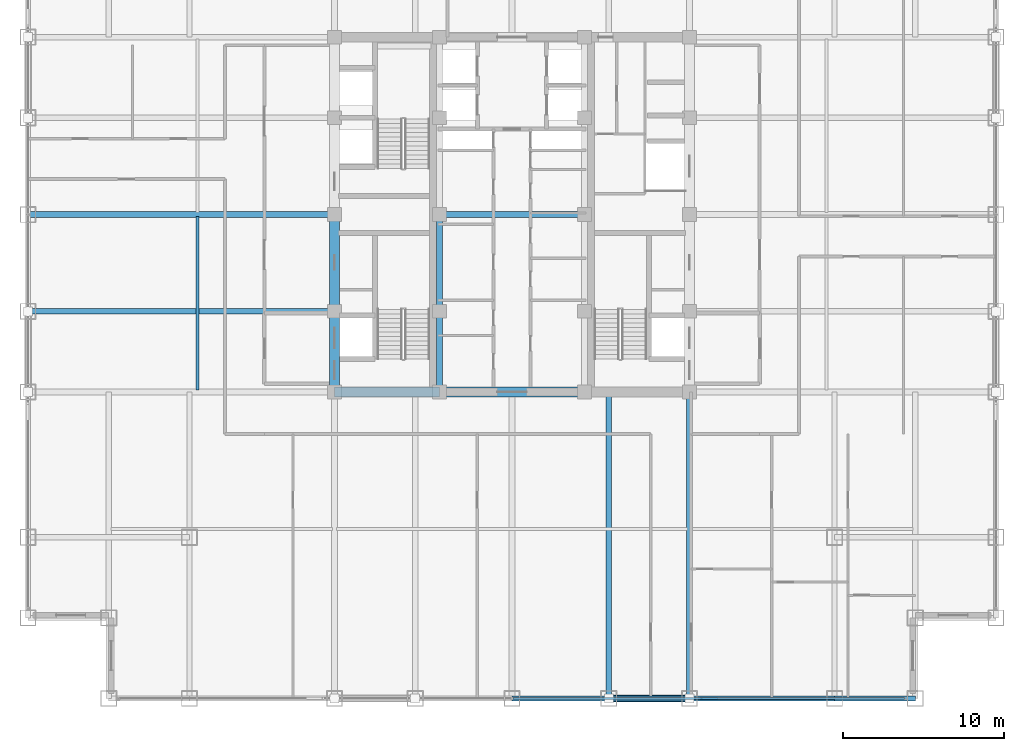
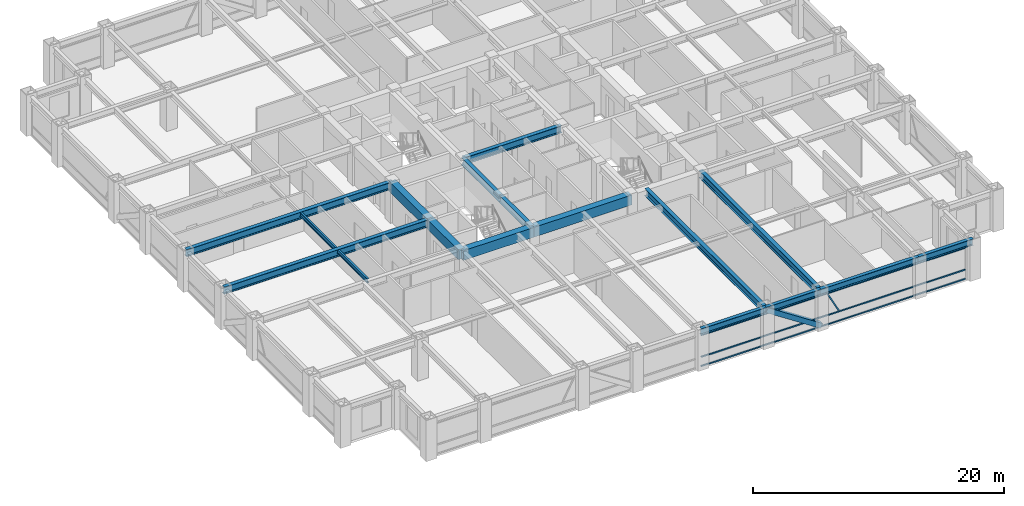
# One storey, part 7 of 25: 16 beams, 5 members, 1 element without a shape of its own.
"""IFC4 building model written with IfcOpenShell, lengths in metres."""

from ifc_helpers import new_model, si_unit, direction, frame, origin, origin_2d, place, context, subcontext, project, spatial, rectangle, hollow_rectangle, i_section, extrude, source, transform, mapped, material, material_profile, profile_set, type_object, element, aggregate, save


model = new_model("IFC4")

# Units and contexts
model_context = context("Model", 3, precision=1e-05, world=origin(), true_north=direction((0.0, 1.0)))
body_context = subcontext(model_context, "Body", "Model", "MODEL_VIEW")
ifc_project = project(units=[si_unit("LENGTHUNIT", "METRE"), si_unit("AREAUNIT", "SQUARE_METRE"), si_unit("VOLUMEUNIT", "CUBIC_METRE"), si_unit("PLANEANGLEUNIT", "RADIAN"), si_unit("MASSUNIT", "GRAM", prefix="KILO")], contexts=[model_context])

# Site, building, storey
site_placement = place(None, origin())
site = spatial("IfcSite", under=ifc_project, at=site_placement, CompositionType="ELEMENT")
building_placement = place(site_placement, origin())
building = spatial("IfcBuilding", under=site, at=building_placement, Name="Khorayat Bourse Tower", CompositionType="ELEMENT")
storey_placement = place(building_placement, frame((0.0, 0.0, 247.10009765625)))
storey = spatial("IfcBuildingStorey", under=building, at=storey_placement, Name="L58", CompositionType="ELEMENT", Elevation=247.10009765625)

# Beams
ifc_material_1 = material(Name="Steel ASTM A992 Grade 50", Category="steel")
ifc_material_profile_1 = material_profile(ifc_material_1, i_section(OverallWidth=0.35498046875, OverallDepth=0.695068359375, WebThickness=0.015380859375, FlangeThickness=0.02490234375, FilletRadius=0.01806640625, at=origin_2d()), Name="W690X217")
ifc_profile_set_1 = profile_set([ifc_material_profile_1], Name="Steel ASTM A992 Grade 50")
beam_type_1 = type_object("IfcBeamType", Name="BM-GIRD-690", PredefinedType="BEAM", material=ifc_profile_set_1)
shared_shape_1 = source(origin(), body_context, "Body", "SweptSolid", [
    extrude(i_section(OverallWidth=0.35498046875, OverallDepth=0.695068359375, WebThickness=0.015380859375, FlangeThickness=0.02490234375, FilletRadius=0.01806640625, at=origin_2d()), origin(), (0.0, 0.0, 1.0), 5.0),
])
beam_1_placement = place(storey_placement, frame((-4.5, -11.0, 3.432373046875), z_axis=(0.0, 1.0, 0.0), x_axis=(-1.0, 0.0, 0.0)))
element("IfcBeam", 1, at=beam_1_placement, inside=storey, type_object=beam_type_1, Name="L58 BM-GIRD-690 BM-L58-CRX-05", PredefinedType="BEAM", context=body_context, shape_type="MappedRepresentation", body=[
    mapped(shared_shape_1, transform((0.0, 0.0, 0.0), scale=1.0)),
])
shared_shape_2 = source(origin(), body_context, "Body", "SweptSolid", [
    extrude(i_section(OverallWidth=0.35498046875, OverallDepth=0.695068359375, WebThickness=0.015380859375, FlangeThickness=0.02490234375, FilletRadius=0.01806640625, at=origin_2d()), origin(), (0.0, 0.0, 1.0), 6.0),
])
beam_2_placement = place(storey_placement, frame((-4.5, -6.0, 3.432373046875), z_axis=(0.0, 1.0, 0.0), x_axis=(-1.0, 0.0, 0.0)))
element("IfcBeam", 2, at=beam_2_placement, inside=storey, type_object=beam_type_1, Name="L58 BM-GIRD-690 BM-L58-CRX-06", PredefinedType="BEAM", context=body_context, shape_type="MappedRepresentation", body=[
    mapped(shared_shape_2, transform((0.0, 0.0, 0.0), scale=1.0)),
])
shared_shape_3 = source(origin(), body_context, "Body", "SweptSolid", [
    extrude(i_section(OverallWidth=0.35498046875, OverallDepth=0.695068359375, WebThickness=0.015380859375, FlangeThickness=0.02490234375, FilletRadius=0.01806640625, at=origin_2d()), origin(), (0.0, 0.0, 1.0), 9.0),
])
beam_3_placement = place(storey_placement, frame((-4.5, 0.0, 3.432373046875), z_axis=(1.0, 0.0, 0.0), x_axis=(0.0, 1.0, 0.0)))
element("IfcBeam", 3, at=beam_3_placement, inside=storey, type_object=beam_type_1, Name="L58 BM-GIRD-690 BM-L58-CRY-23", PredefinedType="BEAM", context=body_context, shape_type="MappedRepresentation", body=[
    mapped(shared_shape_3, transform((0.0, 0.0, 0.0), scale=1.0)),
])
ifc_material_profile_2 = material_profile(ifc_material_1, i_section(OverallWidth=0.180908203125, OverallDepth=0.4169921875, WebThickness=0.010986328125, FlangeThickness=0.018310546875, FilletRadius=0.011962890625, at=origin_2d()), Name="W410X85")
ifc_profile_set_2 = profile_set([ifc_material_profile_2], Name="Steel ASTM A992 Grade 50")
beam_type_2 = type_object("IfcBeamType", Name="BM-JOIST-410", PredefinedType="JOIST", material=ifc_profile_set_2)
shared_shape_4 = source(origin(), body_context, "Body", "SweptSolid", [
    extrude(i_section(OverallWidth=0.180908203125, OverallDepth=0.4169921875, WebThickness=0.010986328125, FlangeThickness=0.018310546875, FilletRadius=0.011962890625, at=origin_2d()), origin(), (0.0, 0.0, 1.0), 10.740234375),
])
beam_4_placement = place(storey_placement, frame((-19.5, -10.8701171875, 3.5712890625), z_axis=(0.0, 1.0, 0.0), x_axis=(-1.0, 0.0, 0.0)))
element("IfcBeam", 4, at=beam_4_placement, inside=storey, type_object=beam_type_2, Name="L58 BM-JOIST-410 BM-L58-JSTY-102", PredefinedType="JOIST", context=body_context, shape_type="MappedRepresentation", body=[
    mapped(shared_shape_4, transform((0.0, 0.0, 0.0), scale=1.0)),
])
ifc_material_profile_3 = material_profile(ifc_material_1, i_section(OverallWidth=0.324951171875, OverallDepth=0.615966796875, WebThickness=0.013916015625, FlangeThickness=0.021484375, FilletRadius=0.01611328125, at=origin_2d()), Name="W610X174")
ifc_profile_set_3 = profile_set([ifc_material_profile_3], Name="Steel ASTM A992 Grade 50")
beam_type_3 = type_object("IfcBeamType", Name="BM-SPAN-610", PredefinedType="SPANDREL", material=ifc_profile_set_3)
shared_shape_5 = source(origin(), body_context, "Body", "SweptSolid", [
    extrude(i_section(OverallWidth=0.324951171875, OverallDepth=0.615966796875, WebThickness=0.013916015625, FlangeThickness=0.021484375, FilletRadius=0.01611328125, at=origin_2d()), origin(), (0.0, 0.0, 1.0), 9.0),
])
beam_5_placement = place(storey_placement, frame((11.0, -30.0, 3.471923828125), z_axis=(1.0, 0.0, 0.0), x_axis=(0.0, 1.0, 0.0)))
element("IfcBeam", 5, at=beam_5_placement, inside=storey, type_object=beam_type_3, Name="L58 BM-SPAN-610 BM-L58-SPN-030", PredefinedType="SPANDREL", context=body_context, shape_type="MappedRepresentation", body=[
    mapped(shared_shape_5, transform((0.0, 0.0, 0.0), scale=1.0)),
])
shared_shape_6 = source(origin(), body_context, "Body", "SweptSolid", [
    extrude(i_section(OverallWidth=0.324951171875, OverallDepth=0.615966796875, WebThickness=0.013916015625, FlangeThickness=0.021484375, FilletRadius=0.01611328125, at=origin_2d()), origin(), (0.0, 0.0, 1.0), 5.0),
])
for number, where, z_axis, x_axis, name in (
    (6, (6.0, -30.0, 3.471923828125), (1.0, 0.0, 0.0), (0.0, 1.0, 0.0), "L58 BM-SPAN-610 BM-L58-SPN-029"),
    (7, (20.0, -30.0, 3.471923828125), (1.0, 0.0, 0.0), (0.0, 1.0, 0.0), "L58 BM-SPAN-610 BM-L58-SPN-031"),
):
    element("IfcBeam", number, at=place(storey_placement, frame(where, z_axis=z_axis, x_axis=x_axis)), inside=storey, type_object=beam_type_3, Name=name, PredefinedType="SPANDREL", context=body_context, shape_type="MappedRepresentation", body=[
        mapped(shared_shape_6, transform((0.0, 0.0, 0.0), scale=1.0)),
    ])
shared_shape_7 = source(origin(), body_context, "Body", "SweptSolid", [
    extrude(i_section(OverallWidth=0.324951171875, OverallDepth=0.615966796875, WebThickness=0.013916015625, FlangeThickness=0.021484375, FilletRadius=0.01611328125, at=origin_2d()), origin(), (0.0, 0.0, 1.0), 6.0),
])
beam_6_placement = place(storey_placement, frame((0.0, -30.0, 3.471923828125), z_axis=(1.0, 0.0, 0.0), x_axis=(0.0, 1.0, 0.0)))
element("IfcBeam", 8, at=beam_6_placement, inside=storey, type_object=beam_type_3, Name="L58 BM-SPAN-610 BM-L58-SPN-028", PredefinedType="SPANDREL", context=body_context, shape_type="MappedRepresentation", body=[
    mapped(shared_shape_7, transform((0.0, 0.0, 0.0), scale=1.0)),
])
ifc_material_2 = material(Name="Concrete C60/75", Category="concrete")
ifc_material_profile_4 = material_profile(ifc_material_2, rectangle(XDim=0.60009765625, YDim=0.949951171875, at=origin_2d()), Name="RC 600x950")
ifc_profile_set_4 = profile_set([ifc_material_profile_4], Name="Concrete C60/75")
beam_type_4 = type_object("IfcBeamType", Name="BM-COUP-950", PredefinedType="BEAM", material=ifc_profile_set_4)
shared_shape_8 = source(origin(), body_context, "Body", "SweptSolid", [
    extrude(rectangle(XDim=0.60009765625, YDim=0.949951171875, at=origin_2d()), origin(), (0.0, 0.0, 1.0), 5.0),
])
beam_7_placement = place(storey_placement, frame((-11.0, -11.0, 3.304931640625), z_axis=(0.0, 1.0, 0.0), x_axis=(-1.0, 0.0, 0.0)))
element("IfcBeam", 9, at=beam_7_placement, inside=storey, type_object=beam_type_4, Name="L58 BM-COUP-950 BM-L58-CRX-01", PredefinedType="BEAM", context=body_context, shape_type="MappedRepresentation", body=[
    mapped(shared_shape_8, transform((0.0, 0.0, 0.0), scale=1.0)),
])
shared_shape_9 = source(origin(), body_context, "Body", "SweptSolid", [
    extrude(rectangle(XDim=0.60009765625, YDim=0.949951171875, at=origin_2d()), origin(), (0.0, 0.0, 1.0), 6.0),
])
beam_8_placement = place(storey_placement, frame((-11.0, -6.0, 3.304931640625), z_axis=(0.0, 1.0, 0.0), x_axis=(-1.0, 0.0, 0.0)))
element("IfcBeam", 10, at=beam_8_placement, inside=storey, type_object=beam_type_4, Name="L58 BM-COUP-950 BM-L58-CRX-02", PredefinedType="BEAM", context=body_context, shape_type="MappedRepresentation", body=[
    mapped(shared_shape_9, transform((0.0, 0.0, 0.0), scale=1.0)),
])
shared_shape_10 = source(origin(), body_context, "Body", "SweptSolid", [
    extrude(rectangle(XDim=0.60009765625, YDim=0.949951171875, at=origin_2d()), origin(), (0.0, 0.0, 1.0), 6.5),
])
beam_9_placement = place(storey_placement, frame((-11.0, -11.0, 3.304931640625), z_axis=(1.0, 0.0, 0.0), x_axis=(0.0, 1.0, 0.0)))
element("IfcBeam", 11, at=beam_9_placement, inside=storey, type_object=beam_type_4, Name="L58 BM-COUP-950 BM-L58-CRY-17", PredefinedType="BEAM", context=body_context, shape_type="MappedRepresentation", body=[
    mapped(shared_shape_10, transform((0.0, 0.0, 0.0), scale=1.0)),
])
shared_shape_11 = source(origin(), body_context, "Body", "SweptSolid", [
    extrude(rectangle(XDim=0.60009765625, YDim=0.949951171875, at=origin_2d()), origin(), (0.0, 0.0, 1.0), 9.0),
])
beam_10_placement = place(storey_placement, frame((-4.5, -11.0, 3.304931640625), z_axis=(1.0, 0.0, 0.0), x_axis=(0.0, 1.0, 0.0)))
element("IfcBeam", 12, at=beam_10_placement, inside=storey, type_object=beam_type_4, Name="L58 BM-COUP-950 BM-L58-CRY-18", PredefinedType="BEAM", context=body_context, shape_type="MappedRepresentation", body=[
    mapped(shared_shape_11, transform((0.0, 0.0, 0.0), scale=1.0)),
])
shared_shape_12 = source(origin(), body_context, "Body", "SweptSolid", [
    extrude(i_section(OverallWidth=0.35498046875, OverallDepth=0.695068359375, WebThickness=0.015380859375, FlangeThickness=0.02490234375, FilletRadius=0.01806640625, at=origin_2d()), origin(), (0.0, 0.0, 1.0), 19.0),
])
for number, where, z_axis, x_axis, name in (
    (13, (6.0, -30.0, 3.432373046875), (0.0, 1.0, 0.0), (-1.0, 0.0, 0.0), "L58 BM-GIRD-690 BM-L58-RADY-071"),
    (14, (11.0, -30.0, 3.432373046875), (0.0, 1.0, 0.0), (-1.0, 0.0, 0.0), "L58 BM-GIRD-690 BM-L58-RADY-073"),
    (15, (-30.0, -6.0, 3.432373046875), (1.0, 0.0, 0.0), (0.0, 1.0, 0.0), "L58 BM-GIRD-690 BM-L58-RADX-077"),
    (16, (-30.0, 0.0, 3.432373046875), (1.0, 0.0, 0.0), (0.0, 1.0, 0.0), "L58 BM-GIRD-690 BM-L58-RADX-079"),
):
    element("IfcBeam", number, at=place(storey_placement, frame(where, z_axis=z_axis, x_axis=x_axis)), inside=storey, type_object=beam_type_1, Name=name, PredefinedType="BEAM", context=body_context, shape_type="MappedRepresentation", body=[
        mapped(shared_shape_12, transform((0.0, 0.0, 0.0), scale=1.0)),
    ])

# Member
ifc_material_3 = material(Name="Steel EN 10025-4 S460M", Category="steel")
ifc_material_profile_5 = material_profile(ifc_material_3, hollow_rectangle(XDim=0.449951171875, YDim=0.449951171875, WallThickness=0.02490234375, at=origin_2d()), Name="HSS 450x450x25")
ifc_profile_set_5 = profile_set([ifc_material_profile_5], Name="Steel EN 10025-4 S460M")
member_type_1 = type_object("IfcMemberType", Name="MBR-TUBE-450", PredefinedType="BRACE", material=ifc_profile_set_5)
shared_shape_13 = source(origin(), body_context, "Body", "SweptSolid", [
    extrude(hollow_rectangle(XDim=0.449951171875, YDim=0.449951171875, WallThickness=0.02490234375, at=origin_2d()), origin(), (0.0, 0.0, 1.0), 5.979736328125),
])
member_1_placement = place(storey_placement, frame((6.0, -30.0, 3.52978515625), z_axis=(0.836160261256, 0.0, -0.548485202623), x_axis=(0.0, 1.0, 0.0)))
element("IfcMember", 17, at=member_1_placement, inside=storey, type_object=member_type_1, Name="L58 Perimeter Tube Brace 02", PredefinedType="BRACE", context=body_context, shape_type="MappedRepresentation", body=[
    mapped(shared_shape_13, transform((0.0, 0.0, 0.0), scale=1.0)),
])

# Curtain wall, members
ifc_material_4 = material(Name="Aluminium EN AW-6063 T6", Category="aluminium")
curtain_wall_type = type_object("IfcCurtainWallType", Name="CW-SYS-03", PredefinedType="NOTDEFINED", material=ifc_material_4)
curtain_wall_placement = place(storey_placement, origin())
curtain_wall = element("IfcCurtainWall", 18, at=curtain_wall_placement, inside=storey, type_object=curtain_wall_type, Name="L58 Curtain Wall CW-L58-S1", PredefinedType="NOTDEFINED")
ifc_material_profile_6 = material_profile(ifc_material_4, hollow_rectangle(XDim=0.1201171875, YDim=0.1201171875, WallThickness=0.0048828125, at=origin_2d()), Name="ALU 120x120x5")
ifc_profile_set_6 = profile_set([ifc_material_profile_6], Name="Aluminium EN AW-6063 T6")
member_type_2 = type_object("IfcMemberType", Name="CWM-DIAG-120", PredefinedType="MULLION", material=ifc_profile_set_6)
shared_shape_14 = source(origin(), body_context, "Body", "SweptSolid", [
    extrude(hollow_rectangle(XDim=0.1201171875, YDim=0.1201171875, WallThickness=0.0048828125, at=origin_2d()), origin(), (0.0, 0.0, 1.0), 2.079345703125),
])
member_2_placement = place(storey_placement, frame((12.67919921875, -30.0, 1.08984375), z_axis=(-0.465760949701, 0.0, 0.884910581773), x_axis=(0.0, -1.0, 0.0)))
member_2 = element("IfcMember", 19, at=member_2_placement, type_object=member_type_2, Name="CW-L58-S1 Faceted Diagonal Mullion 2", PredefinedType="MULLION", context=body_context, shape_type="MappedRepresentation", body=[
    mapped(shared_shape_14, transform((0.0, 0.0, 0.0), scale=1.0)),
])
ifc_material_profile_7 = material_profile(ifc_material_4, hollow_rectangle(XDim=0.1201171875, YDim=0.1201171875, WallThickness=0.0048828125, at=origin_2d()), Name="ALU 120x120x5")
ifc_profile_set_7 = profile_set([ifc_material_profile_7], Name="Aluminium EN AW-6063 T6")
member_type_3 = type_object("IfcMemberType", Name="CWT-HORZ-120", PredefinedType="USERDEFINED", material=ifc_profile_set_7)
shared_shape_15 = source(origin(), body_context, "Body", "SweptSolid", [
    extrude(hollow_rectangle(XDim=0.1201171875, YDim=0.1201171875, WallThickness=0.0048828125, at=origin_2d()), origin(), (0.0, 0.0, 1.0), 24.27001953125),
])
member_3_placement = place(storey_placement, frame((0.06005859375, -30.0, 0.059814453125), z_axis=(1.0, 0.0, 0.0), x_axis=(0.0, 1.0, 0.0)))
member_3 = element("IfcMember", 20, at=member_3_placement, type_object=member_type_3, Name="CW-L58-S1 Horizontal Transom 2-1", ObjectType="TRANSOM", PredefinedType="USERDEFINED", context=body_context, shape_type="MappedRepresentation", body=[
    mapped(shared_shape_15, transform((0.0, 0.0, 0.0), scale=1.0)),
])
member_4_placement = place(storey_placement, frame((0.06005859375, -30.0, 0.949951171875), z_axis=(1.0, 0.0, 0.0), x_axis=(0.0, 1.0, 0.0)))
member_4 = element("IfcMember", 21, at=member_4_placement, type_object=member_type_3, Name="CW-L58-S1 Horizontal Transom 2-2", ObjectType="TRANSOM", PredefinedType="USERDEFINED", context=body_context, shape_type="MappedRepresentation", body=[
    mapped(shared_shape_15, transform((0.0, 0.0, 0.0), scale=1.0)),
])
member_5_placement = place(storey_placement, frame((0.06005859375, -30.0, 3.06982421875), z_axis=(1.0, 0.0, 0.0), x_axis=(0.0, 1.0, 0.0)))
member_5 = element("IfcMember", 22, at=member_5_placement, type_object=member_type_3, Name="CW-L58-S1 Horizontal Transom 2-3", ObjectType="TRANSOM", PredefinedType="USERDEFINED", context=body_context, shape_type="MappedRepresentation", body=[
    mapped(shared_shape_15, transform((0.0, 0.0, 0.0), scale=1.0)),
])
aggregate(curtain_wall, [member_3, member_4, member_5, member_2])

save(model, "model.ifc")
